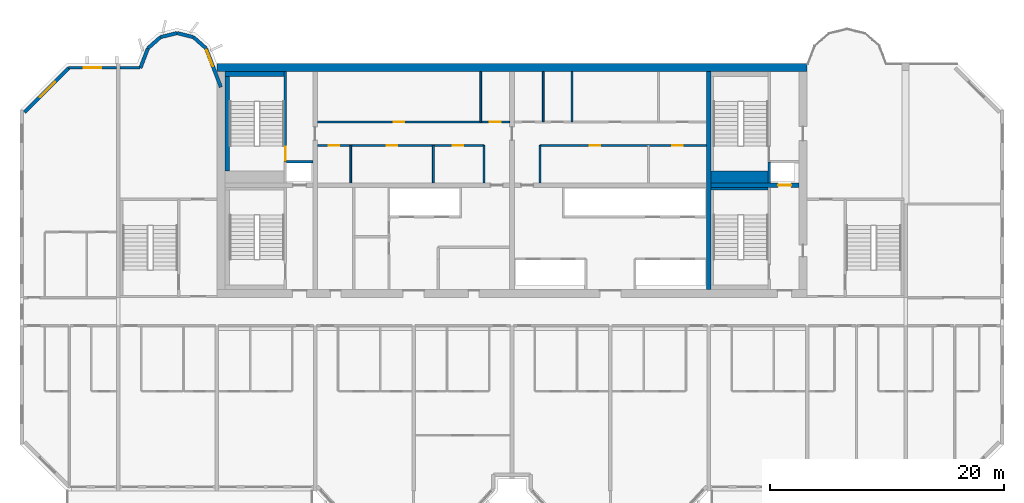
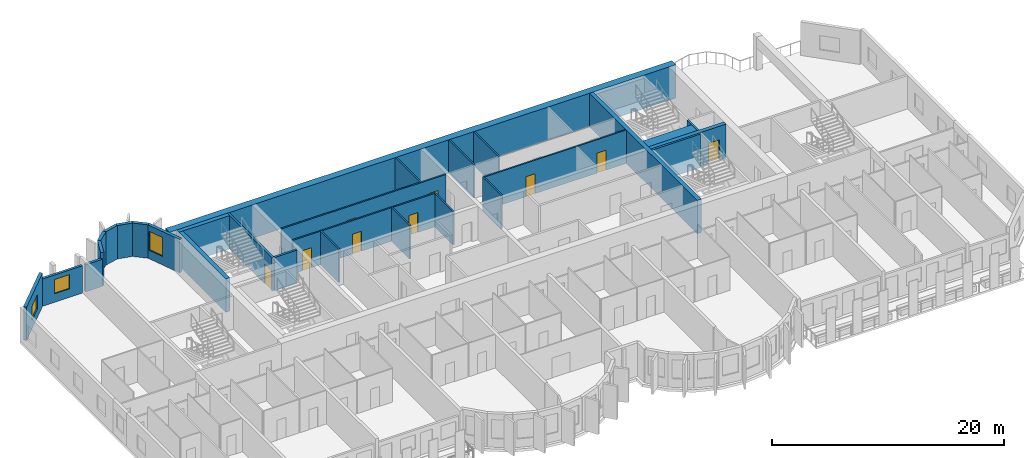
# One storey, part 7 of 13: 29 walls, 9 doors, 3 windows, 12 openings.
"""IFC4 building model written with IfcOpenShell, lengths in metres."""

from ifc_helpers import new_model, si_unit, direction, frame, frame_2d, origin, place, context, subcontext, project, spatial, rectangle, extrude, source, transform, mapped, material, layer, layer_set, type_object, element, fill, save


model = new_model("IFC4")

# Units and contexts
model_context = context("Model", 3, precision=1e-05, world=origin(), true_north=direction((0.0, 1.0)))
body_context = subcontext(model_context, "Body", "Model", "MODEL_VIEW")
ifc_project = project(units=[si_unit("LENGTHUNIT", "METRE"), si_unit("AREAUNIT", "SQUARE_METRE"), si_unit("VOLUMEUNIT", "CUBIC_METRE"), si_unit("PLANEANGLEUNIT", "RADIAN"), si_unit("MASSUNIT", "GRAM", prefix="KILO")], contexts=[model_context])

# Site, building, storey
site_placement = place(None, origin())
site = spatial("IfcSite", under=ifc_project, at=site_placement, CompositionType="ELEMENT")
building_placement = place(site_placement, origin())
building = spatial("IfcBuilding", under=site, at=building_placement, Name="Vanashikhar Sky Hotel", CompositionType="ELEMENT")
storey_placement = place(building_placement, frame((0.0, 0.0, 185.800048828125)))
storey = spatial("IfcBuildingStorey", under=building, at=storey_placement, Name="L45", CompositionType="ELEMENT", Elevation=185.800048828125)

# Walls
ifc_material_1 = material(Name="Concrete M60", Category="concrete")
ifc_layer_1 = layer(ifc_material_1, 0.39990234375)
ifc_layer_set_1 = layer_set([ifc_layer_1], Name="RC core inner wall 400 Concrete M60")
wall_type_1 = type_object("IfcWallType", Name="RC core inner wall 400 Concrete M60", PredefinedType="SHEAR", material=ifc_layer_set_1)
shared_shape_1 = source(origin(), body_context, "Body", "SweptSolid", [
    extrude(rectangle(XDim=18.60009765625, YDim=0.39990234375, at=frame_2d((9.300048828125, 0.0))), origin(), (0.0, 0.0, 1.0), 3.52001953125),
])
wall_1_placement = place(storey_placement, frame((67.199951171875, 22.699951171875, 0.0), z_axis=(0.0, 0.0, 1.0), x_axis=(0.0, 1.0, 0.0)))
element("IfcWall", 1, at=wall_1_placement, inside=storey, type_object=wall_type_1, Name="KW-L45-KX3", PredefinedType="SHEAR", context=body_context, shape_type="MappedRepresentation", body=[
    mapped(shared_shape_1, transform((0.0, 0.0, 0.0), scale=1.0)),
])
ifc_layer_2 = layer(ifc_material_1, 0.699951171875)
ifc_layer_set_2 = layer_set([ifc_layer_2], Name="RC core shell wall 700 Concrete M60")
wall_type_2 = type_object("IfcWallType", Name="RC core shell wall 700 Concrete M60", PredefinedType="SHEAR", material=ifc_layer_set_2)
shared_shape_2 = source(origin(), body_context, "Body", "SweptSolid", [
    extrude(rectangle(XDim=50.400146484375, YDim=0.699951171875, at=frame_2d((25.2001953125, 0.0))), origin(), (0.0, 0.0, 1.0), 3.52001953125),
])
wall_2_placement = place(storey_placement, frame((25.199951171875, 41.64990234375, 0.0), z_axis=(0.0, 0.0, 1.0), x_axis=(1.0, 0.0, 0.0)))
element("IfcWall", 2, at=wall_2_placement, inside=storey, type_object=wall_type_2, Name="KW-L45-KN", PredefinedType="SHEAR", context=body_context, shape_type="MappedRepresentation", body=[
    mapped(shared_shape_2, transform((0.0, 0.0, 0.0), scale=1.0)),
])

# Wall, opening, door
shared_shape_3 = source(origin(), body_context, "Body", "SweptSolid", [
    extrude(rectangle(XDim=7.5, YDim=0.39990234375, at=frame_2d((3.75, 0.0))), origin(), (0.0, 0.0, 1.0), 3.52001953125),
])
wall_3_placement = place(storey_placement, frame((67.39990234375, 31.60009765625, 0.0), z_axis=(0.0, 0.0, 1.0), x_axis=(1.0, 0.0, 0.0)))
wall_3 = element("IfcWall", 3, at=wall_3_placement, inside=storey, type_object=wall_type_1, Name="KW-L45-KY4", PredefinedType="SHEAR", context=body_context, shape_type="MappedRepresentation", body=[
    mapped(shared_shape_3, transform((0.0, 0.0, 0.0), scale=1.0)),
])
shared_shape_4 = source(origin(), body_context, "Body", "SweptSolid", [
    extrude(rectangle(XDim=1.10009765625, YDim=2.10009765625, at=frame_2d((0.550048828125, 1.050048828125))), frame((0.0, 0.2099609375, 0.0), z_axis=(0.0, -1.0, 0.0), x_axis=(1.0, 0.0, 0.0)), (0.0, 0.0, 1.0), 0.419921875),
])
opening_1_placement = place(wall_3_placement, frame((5.72509765625, 0.0, 0.0)))
opening_1 = element("IfcOpeningElement", 4, at=opening_1_placement, cuts=wall_3, Name="Opening LD", PredefinedType="OPENING", context=body_context, shape_type="MappedRepresentation", body=[
    mapped(shared_shape_4, transform((0.0, 0.0, 0.0), scale=1.0)),
])
ifc_material_2 = material(Name="Stainless steel", Category="steel")
door_type_1 = type_object("IfcDoorType", Name="Lift landing door 1100", OperationType="NOTDEFINED", PredefinedType="DOOR", material=ifc_material_2)
shared_shape_5 = source(origin(), body_context, "Body", "SweptSolid", [
    extrude(rectangle(XDim=1.10009765625, YDim=2.10009765625, at=frame_2d((0.550048828125, 1.050048828125))), frame((0.0, 0.02490234375, 0.0), z_axis=(0.0, -1.0, 0.0), x_axis=(1.0, 0.0, 0.0)), (0.0, 0.0, 1.0), 0.050048828125),
])
door_1_placement = place(opening_1_placement, origin())
door_1 = element("IfcDoor", 5, at=door_1_placement, inside=storey, type_object=door_type_1, Name="Lift landing door 1100", OperationType="SLIDING_TO_RIGHT", OverallHeight=2.10009765625, OverallWidth=1.10009765625, PredefinedType="DOOR", context=body_context, shape_type="MappedRepresentation", body=[
    mapped(shared_shape_5, transform((0.0, 0.0, 0.0), scale=1.0)),
])
fill(opening_1, door_1)

# Wall, opening, window
ifc_material_3 = material(Name="Concrete M50", Category="concrete")
ifc_layer_3 = layer(ifc_material_3, 0.300048828125)
ifc_layer_set_3 = layer_set([ifc_layer_3], Name="Lobe wall 300")
wall_type_3 = type_object("IfcWallType", Name="Lobe wall 300", PredefinedType="SOLIDWALL", material=ifc_layer_set_3)
shared_shape_6 = source(origin(), body_context, "Body", "SweptSolid", [
    extrude(rectangle(XDim=5.32568359375, YDim=0.300048828125, at=frame_2d((2.662841796875, 0.0))), origin(), (0.0, 0.0, 1.0), 3.52001953125),
])
wall_4_placement = place(storey_placement, frame((12.565673828125, 41.60009765625, 0.0), z_axis=(0.0, 0.0, 1.0), x_axis=(-0.707083859269, -0.707129702361, 0.0)))
wall_4 = element("IfcWall", 6, at=wall_4_placement, inside=storey, type_object=wall_type_3, Name="Corner wall", PredefinedType="SOLIDWALL", context=body_context, shape_type="MappedRepresentation", body=[
    mapped(shared_shape_6, transform((0.0, 0.0, 0.0), scale=1.0)),
])
shared_shape_7 = source(origin(), body_context, "Body", "SweptSolid", [
    extrude(rectangle(XDim=1.800048828125, YDim=1.5, at=frame_2d((0.89990234375, 0.75))), frame((0.0, 0.16015625, 0.0), z_axis=(0.0, -1.0, 0.0), x_axis=(1.0, 0.0, 0.0)), (0.0, 0.0, 1.0), 0.320068359375),
])
opening_2_placement = place(wall_4_placement, frame((1.689453125, 0.0, 0.89990234375)))
opening_2 = element("IfcOpeningElement", 7, at=opening_2_placement, cuts=wall_4, Name="Opening WN-4", PredefinedType="OPENING", context=body_context, shape_type="MappedRepresentation", body=[
    mapped(shared_shape_7, transform((0.0, 0.0, 0.0), scale=1.0)),
])
ifc_material_4 = material(Name="Glass", Category="glass")
window_type_1 = type_object("IfcWindowType", Name="Corner window 1800 x 1500", PartitioningType="SINGLE_PANEL", PredefinedType="WINDOW", material=ifc_material_4)
shared_shape_8 = source(origin(), body_context, "Body", "SweptSolid", [
    extrude(rectangle(XDim=1.800048828125, YDim=1.5, at=frame_2d((0.89990234375, 0.75))), frame((0.0, 0.030029296875, 0.0), z_axis=(0.0, -1.0, 0.0), x_axis=(1.0, 0.0, 0.0)), (0.0, 0.0, 1.0), 0.06005859375),
])
window_1_placement = place(opening_2_placement, origin())
window_1 = element("IfcWindow", 8, at=window_1_placement, inside=storey, type_object=window_type_1, Name="Window WN-4", OverallHeight=1.5, OverallWidth=1.800048828125, PartitioningType="SINGLE_PANEL", PredefinedType="WINDOW", context=body_context, shape_type="MappedRepresentation", body=[
    mapped(shared_shape_8, transform((0.0, 0.0, 0.0), scale=1.0)),
])
fill(opening_2, window_1)

shared_shape_9 = source(origin(), body_context, "Body", "SweptSolid", [
    extrude(rectangle(XDim=3.55908203125, YDim=0.300048828125, at=frame_2d((1.779541015625, 0.0))), origin(), (0.0, 0.0, 1.0), 3.52001953125),
])
wall_5_placement = place(storey_placement, frame((25.550048828125, 39.968505859375, 0.0), z_axis=(0.0, 0.0, 1.0), x_axis=(-0.35779745313, 0.933799219604, 0.0)))
wall_5 = element("IfcWall", 9, at=wall_5_placement, inside=storey, type_object=wall_type_3, Name="Lobe wall", PredefinedType="SOLIDWALL", context=body_context, shape_type="MappedRepresentation", body=[
    mapped(shared_shape_9, transform((0.0, 0.0, 0.0), scale=1.0)),
])
shared_shape_10 = source(origin(), body_context, "Body", "SweptSolid", [
    extrude(rectangle(XDim=1.5, YDim=2.0, at=frame_2d((0.75, 1.0))), frame((0.0, 0.16015625, 0.0), z_axis=(0.0, -1.0, 0.0), x_axis=(1.0, 0.0, 0.0)), (0.0, 0.0, 1.0), 0.320068359375),
])
opening_3_placement = place(wall_5_placement, frame((1.9033203125, 0.0, 0.89990234375)))
opening_3 = element("IfcOpeningElement", 10, at=opening_3_placement, cuts=wall_5, Name="Opening WN-2", PredefinedType="OPENING", context=body_context, shape_type="MappedRepresentation", body=[
    mapped(shared_shape_10, transform((0.0, 0.0, 0.0), scale=1.0)),
])
window_type_2 = type_object("IfcWindowType", Name="Lobe window 1500 x 2000", PartitioningType="SINGLE_PANEL", PredefinedType="WINDOW", material=ifc_material_4)
shared_shape_11 = source(origin(), body_context, "Body", "SweptSolid", [
    extrude(rectangle(XDim=1.5, YDim=2.0, at=frame_2d((0.75, 1.0))), frame((0.0, 0.030029296875, 0.0), z_axis=(0.0, -1.0, 0.0), x_axis=(1.0, 0.0, 0.0)), (0.0, 0.0, 1.0), 0.06005859375),
])
window_2_placement = place(opening_3_placement, origin())
window_2 = element("IfcWindow", 11, at=window_2_placement, inside=storey, type_object=window_type_2, Name="Window WN-2", OverallHeight=2.0, OverallWidth=1.5, PartitioningType="SINGLE_PANEL", PredefinedType="WINDOW", context=body_context, shape_type="MappedRepresentation", body=[
    mapped(shared_shape_11, transform((0.0, 0.0, 0.0), scale=1.0)),
])
fill(opening_3, window_2)

# Walls
shared_shape_12 = source(origin(), body_context, "Body", "SweptSolid", [
    extrude(rectangle(XDim=1.440185546875, YDim=0.300048828125, at=frame_2d((0.72021484375, 0.0))), origin(), (0.0, 0.0, 1.0), 3.52001953125),
])
wall_6_placement = place(storey_placement, frame((24.276611328125, 43.2919921875, 0.0), z_axis=(0.0, 0.0, 1.0), x_axis=(-0.749649827867, 0.661834673902, 0.0)))
element("IfcWall", 12, at=wall_6_placement, inside=storey, type_object=wall_type_3, Name="Lobe wall", PredefinedType="SOLIDWALL", context=body_context, shape_type="MappedRepresentation", body=[
    mapped(shared_shape_12, transform((0.0, 0.0, 0.0), scale=1.0)),
])
shared_shape_13 = source(origin(), body_context, "Body", "SweptSolid", [
    extrude(rectangle(XDim=1.4384765625, YDim=0.300048828125, at=frame_2d((0.71923828125, 0.0))), origin(), (0.0, 0.0, 1.0), 3.52001953125),
])
wall_7_placement = place(storey_placement, frame((23.197021484375, 44.2451171875, 0.0), z_axis=(0.0, 0.0, 1.0), x_axis=(-0.971152283879, 0.238460146601, 0.0)))
element("IfcWall", 13, at=wall_7_placement, inside=storey, type_object=wall_type_3, Name="Lobe wall", PredefinedType="SOLIDWALL", context=body_context, shape_type="MappedRepresentation", body=[
    mapped(shared_shape_13, transform((0.0, 0.0, 0.0), scale=1.0)),
])
shared_shape_14 = source(origin(), body_context, "Body", "SweptSolid", [
    extrude(rectangle(XDim=1.438720703125, YDim=0.300048828125, at=frame_2d((0.71923828125, 0.0))), origin(), (0.0, 0.0, 1.0), 3.52001953125),
])
wall_8_placement = place(storey_placement, frame((21.800048828125, 44.588134765625, 0.0), z_axis=(0.0, 0.0, 1.0), x_axis=(-0.971161932466, -0.238420848351, 0.0)))
element("IfcWall", 14, at=wall_8_placement, inside=storey, type_object=wall_type_3, Name="Lobe wall", PredefinedType="SOLIDWALL", context=body_context, shape_type="MappedRepresentation", body=[
    mapped(shared_shape_14, transform((0.0, 0.0, 0.0), scale=1.0)),
])
shared_shape_15 = source(origin(), body_context, "Body", "SweptSolid", [
    extrude(rectangle(XDim=1.43994140625, YDim=0.300048828125, at=frame_2d((0.719970703125, 0.0))), origin(), (0.0, 0.0, 1.0), 3.52001953125),
])
wall_9_placement = place(storey_placement, frame((20.40283203125, 44.2451171875, 0.0), z_axis=(0.0, 0.0, 1.0), x_axis=(-0.74957555648, -0.661918790432, 0.0)))
element("IfcWall", 15, at=wall_9_placement, inside=storey, type_object=wall_type_3, Name="Lobe wall", PredefinedType="SOLIDWALL", context=body_context, shape_type="MappedRepresentation", body=[
    mapped(shared_shape_15, transform((0.0, 0.0, 0.0), scale=1.0)),
])
shared_shape_16 = source(origin(), body_context, "Body", "SweptSolid", [
    extrude(rectangle(XDim=1.81201171875, YDim=0.300048828125, at=frame_2d((0.906005859375, 0.0))), origin(), (0.0, 0.0, 1.0), 3.52001953125),
])
wall_10_placement = place(storey_placement, frame((19.323486328125, 43.2919921875, 0.0), z_axis=(0.0, 0.0, 1.0), x_axis=(-0.357877270961, -0.93376863244, 0.0)))
element("IfcWall", 16, at=wall_10_placement, inside=storey, type_object=wall_type_3, Name="Lobe wall", PredefinedType="SOLIDWALL", context=body_context, shape_type="MappedRepresentation", body=[
    mapped(shared_shape_16, transform((0.0, 0.0, 0.0), scale=1.0)),
])
ifc_layer_4 = layer(ifc_material_3, 0.25)
ifc_layer_set_4 = layer_set([ifc_layer_4], Name="Rear and end board-marked wall 250")
wall_type_4 = type_object("IfcWallType", Name="Rear and end board-marked wall 250", PredefinedType="SOLIDWALL", material=ifc_layer_set_4)
shared_shape_17 = source(origin(), body_context, "Body", "SweptSolid", [
    extrude(rectangle(XDim=1.7080078125, YDim=0.25, at=frame_2d((0.85400390625, 0.0))), origin(), (0.0, 0.0, 1.0), 2.869873046875),
])
wall_11_placement = place(storey_placement, frame((18.657958984375, 41.625, 0.0), z_axis=(0.0, 0.0, 1.0), x_axis=(-1.0, 0.0, 0.0)))
element("IfcWall", 17, at=wall_11_placement, inside=storey, type_object=wall_type_4, Name="Rear board-marked wall", PredefinedType="SOLIDWALL", context=body_context, shape_type="MappedRepresentation", body=[
    mapped(shared_shape_17, transform((0.0, 0.0, 0.0), scale=1.0)),
])

# Wall, opening, window
shared_shape_18 = source(origin(), body_context, "Body", "SweptSolid", [
    extrude(rectangle(XDim=4.094482421875, YDim=0.25, at=frame_2d((2.04736328125, 0.0))), origin(), (0.0, 0.0, 1.0), 2.869873046875),
])
wall_12_placement = place(storey_placement, frame((16.64990234375, 41.625, 0.0), z_axis=(0.0, 0.0, 1.0), x_axis=(-1.0, 0.0, 0.0)))
wall_12 = element("IfcWall", 18, at=wall_12_placement, inside=storey, type_object=wall_type_4, Name="Rear board-marked wall", PredefinedType="SOLIDWALL", context=body_context, shape_type="MappedRepresentation", body=[
    mapped(shared_shape_18, transform((0.0, 0.0, 0.0), scale=1.0)),
])
shared_shape_19 = source(origin(), body_context, "Body", "SweptSolid", [
    extrude(rectangle(XDim=1.5, YDim=1.5, at=frame_2d((0.75, 0.75))), frame((0.0, 0.135009765625, 0.0), z_axis=(0.0, -1.0, 0.0), x_axis=(1.0, 0.0, 0.0)), (0.0, 0.0, 1.0), 0.27001953125),
])
opening_4_placement = place(wall_12_placement, frame((1.29736328125, 0.0, 0.89990234375)))
opening_4 = element("IfcOpeningElement", 19, at=opening_4_placement, cuts=wall_12, Name="Opening WN-1", PredefinedType="OPENING", context=body_context, shape_type="MappedRepresentation", body=[
    mapped(shared_shape_19, transform((0.0, 0.0, 0.0), scale=1.0)),
])
window_type_3 = type_object("IfcWindowType", Name="Window 1500 x 1500", PartitioningType="SINGLE_PANEL", PredefinedType="WINDOW", material=ifc_material_4)
shared_shape_20 = source(origin(), body_context, "Body", "SweptSolid", [
    extrude(rectangle(XDim=1.5, YDim=1.5, at=frame_2d((0.75, 0.75))), frame((0.0, 0.030029296875, 0.0), z_axis=(0.0, -1.0, 0.0), x_axis=(1.0, 0.0, 0.0)), (0.0, 0.0, 1.0), 0.06005859375),
])
window_3_placement = place(opening_4_placement, origin())
window_3 = element("IfcWindow", 20, at=window_3_placement, inside=storey, type_object=window_type_3, Name="Window WN-1", OverallHeight=1.5, OverallWidth=1.5, PartitioningType="SINGLE_PANEL", PredefinedType="WINDOW", context=body_context, shape_type="MappedRepresentation", body=[
    mapped(shared_shape_20, transform((0.0, 0.0, 0.0), scale=1.0)),
])
fill(opening_4, window_3)

# Walls
ifc_material_5 = material(Name="Concrete M40", Category="concrete")
ifc_layer_5 = layer(ifc_material_5, 0.199951171875)
ifc_layer_set_5 = layer_set([ifc_layer_5], Name="Shaft wall 200")
wall_type_5 = type_object("IfcWallType", Name="Shaft wall 200", PredefinedType="SOLIDWALL", material=ifc_layer_set_5)
shared_shape_21 = source(origin(), body_context, "Body", "SweptSolid", [
    extrude(rectangle(XDim=2.25, YDim=0.199951171875, at=frame_2d((1.125, 0.0))), origin(), (0.0, 0.0, 1.0), 3.52001953125),
])
wall_13_placement = place(storey_placement, frame((31.14990234375, 33.60009765625, 0.0), z_axis=(0.0, 0.0, 1.0), x_axis=(1.0, 0.0, 0.0)))
element("IfcWall", 21, at=wall_13_placement, inside=storey, type_object=wall_type_5, Name="Shaft wall 200", PredefinedType="SOLIDWALL", context=body_context, shape_type="MappedRepresentation", body=[
    mapped(shared_shape_21, transform((0.0, 0.0, 0.0), scale=1.0)),
])
ifc_material_6 = material(Name="Gypsum board partition")
ifc_layer_6 = layer(ifc_material_6, 0.14990234375)
ifc_layer_set_6 = layer_set([ifc_layer_6], Name="Service partition 150")
wall_type_6 = type_object("IfcWallType", Name="Service partition 150", PredefinedType="PARTITIONING", material=ifc_layer_set_6)
shared_shape_22 = source(origin(), body_context, "Body", "SweptSolid", [
    extrude(rectangle(XDim=3.199951171875, YDim=0.14990234375, at=frame_2d((1.60009765625, 0.0))), origin(), (0.0, 0.0, 1.0), 3.52001953125),
])
for number, where, z_axis, x_axis, name in (
    (22, (48.0, 31.800048828125, 0.0), (0.0, 0.0, 1.0), (0.0, 1.0, 0.0), "Service partition 150"),
    (23, (36.625, 31.800048828125, 0.0), (0.0, 0.0, 1.0), (0.0, 1.0, 0.0), "Service partition 150"),
    (24, (43.68798828125, 31.800048828125, 0.0), (0.0, 0.0, 1.0), (0.0, 1.0, 0.0), "Service partition 150"),
    (25, (52.800048828125, 31.800048828125, 0.0), (0.0, 0.0, 1.0), (0.0, 1.0, 0.0), "Service partition 150"),
):
    element("IfcWall", number, at=place(storey_placement, frame(where, z_axis=z_axis, x_axis=x_axis)), inside=storey, type_object=wall_type_6, Name=name, PredefinedType="PARTITIONING", context=body_context, shape_type="MappedRepresentation", body=[
        mapped(shared_shape_22, transform((0.0, 0.0, 0.0), scale=1.0)),
    ])

# Wall, openings, doors
shared_shape_23 = source(origin(), body_context, "Body", "SweptSolid", [
    extrude(rectangle(XDim=14.199951171875, YDim=0.14990234375, at=frame_2d((7.10009765625, 0.0))), origin(), (0.0, 0.0, 1.0), 3.52001953125),
])
wall_14_placement = place(storey_placement, frame((33.800048828125, 35.0, 0.0), z_axis=(0.0, 0.0, 1.0), x_axis=(1.0, 0.0, 0.0)))
wall_14 = element("IfcWall", 26, at=wall_14_placement, inside=storey, type_object=wall_type_6, Name="Service partition 150", PredefinedType="PARTITIONING", context=body_context, shape_type="MappedRepresentation", body=[
    mapped(shared_shape_23, transform((0.0, 0.0, 0.0), scale=1.0)),
])
shared_shape_24 = source(origin(), body_context, "Body", "SweptSolid", [
    extrude(rectangle(XDim=0.89990234375, YDim=2.10009765625, at=frame_2d((0.449951171875, 1.050048828125))), frame((0.0, 0.0849609375, 0.0), z_axis=(0.0, -1.0, 0.0), x_axis=(1.0, 0.0, 0.0)), (0.0, 0.0, 1.0), 0.169921875),
])
opening_5_placement = place(wall_14_placement, frame((0.9619140625, 0.0, 0.0)))
opening_5 = element("IfcOpeningElement", 27, at=opening_5_placement, cuts=wall_14, Name="Opening DC-4-A", PredefinedType="OPENING", context=body_context, shape_type="MappedRepresentation", body=[
    mapped(shared_shape_24, transform((0.0, 0.0, 0.0), scale=1.0)),
])
opening_6_placement = place(wall_14_placement, frame((5.906005859375, 0.0, 0.0)))
opening_6 = element("IfcOpeningElement", 28, at=opening_6_placement, cuts=wall_14, Name="Opening DC-4-A", PredefinedType="OPENING", context=body_context, shape_type="MappedRepresentation", body=[
    mapped(shared_shape_24, transform((0.0, 0.0, 0.0), scale=1.0)),
])
opening_7_placement = place(wall_14_placement, frame((11.555908203125, 0.0, 0.0)))
opening_7 = element("IfcOpeningElement", 29, at=opening_7_placement, cuts=wall_14, Name="Opening DC-4-A", PredefinedType="OPENING", context=body_context, shape_type="MappedRepresentation", body=[
    mapped(shared_shape_24, transform((0.0, 0.0, 0.0), scale=1.0)),
])
ifc_material_7 = material(Name="Steel", Category="steel")
door_type_2 = type_object("IfcDoorType", Name="Service door 900 FD60", OperationType="NOTDEFINED", PredefinedType="DOOR", material=ifc_material_7)
shared_shape_25 = source(origin(), body_context, "Body", "SweptSolid", [
    extrude(rectangle(XDim=0.89990234375, YDim=2.10009765625, at=frame_2d((0.449951171875, 1.050048828125))), frame((0.0, 0.02490234375, 0.0), z_axis=(0.0, -1.0, 0.0), x_axis=(1.0, 0.0, 0.0)), (0.0, 0.0, 1.0), 0.050048828125),
])
door_2_placement = place(opening_5_placement, origin())
door_2 = element("IfcDoor", 30, at=door_2_placement, inside=storey, type_object=door_type_2, Name="Service door 900 FD60", OperationType="SINGLE_SWING_LEFT", OverallHeight=2.10009765625, OverallWidth=0.89990234375, PredefinedType="DOOR", context=body_context, shape_type="MappedRepresentation", body=[
    mapped(shared_shape_25, transform((0.0, 0.0, 0.0), scale=1.0)),
])
fill(opening_5, door_2)
door_3_placement = place(opening_6_placement, origin())
door_3 = element("IfcDoor", 31, at=door_3_placement, inside=storey, type_object=door_type_2, Name="Service door 900 FD60", OperationType="SINGLE_SWING_RIGHT", OverallHeight=2.10009765625, OverallWidth=0.89990234375, PredefinedType="DOOR", context=body_context, shape_type="MappedRepresentation", body=[
    mapped(shared_shape_25, transform((0.0, 0.0, 0.0), scale=1.0)),
])
fill(opening_6, door_3)
door_4_placement = place(opening_7_placement, origin())
door_4 = element("IfcDoor", 32, at=door_4_placement, inside=storey, type_object=door_type_2, Name="Service door 900 FD60", OperationType="SINGLE_SWING_LEFT", OverallHeight=2.10009765625, OverallWidth=0.89990234375, PredefinedType="DOOR", context=body_context, shape_type="MappedRepresentation", body=[
    mapped(shared_shape_25, transform((0.0, 0.0, 0.0), scale=1.0)),
])
fill(opening_7, door_4)

wall_15_placement = place(storey_placement, frame((67.0, 35.0, 0.0), z_axis=(0.0, 0.0, 1.0), x_axis=(-1.0, 0.0, 0.0)))
wall_15 = element("IfcWall", 33, at=wall_15_placement, inside=storey, type_object=wall_type_6, Name="Service partition 150", PredefinedType="PARTITIONING", context=body_context, shape_type="MappedRepresentation", body=[
    mapped(shared_shape_23, transform((0.0, 0.0, 0.0), scale=1.0)),
])
opening_8_placement = place(wall_15_placement, frame((2.02197265625, 0.0, 0.0)))
opening_8 = element("IfcOpeningElement", 34, at=opening_8_placement, cuts=wall_15, Name="Opening DC-4-A", PredefinedType="OPENING", context=body_context, shape_type="MappedRepresentation", body=[
    mapped(shared_shape_24, transform((0.0, 0.0, 0.0), scale=1.0)),
])
opening_9_placement = place(wall_15_placement, frame((9.083984375, 0.0, 0.0)))
opening_9 = element("IfcOpeningElement", 35, at=opening_9_placement, cuts=wall_15, Name="Opening DC-4-A", PredefinedType="OPENING", context=body_context, shape_type="MappedRepresentation", body=[
    mapped(shared_shape_24, transform((0.0, 0.0, 0.0), scale=1.0)),
])
door_5_placement = place(opening_8_placement, origin())
door_5 = element("IfcDoor", 36, at=door_5_placement, inside=storey, type_object=door_type_2, Name="Service door 900 FD60", OperationType="SINGLE_SWING_LEFT", OverallHeight=2.10009765625, OverallWidth=0.89990234375, PredefinedType="DOOR", context=body_context, shape_type="MappedRepresentation", body=[
    mapped(shared_shape_25, transform((0.0, 0.0, 0.0), scale=1.0)),
])
fill(opening_8, door_5)
door_6_placement = place(opening_9_placement, origin())
door_6 = element("IfcDoor", 37, at=door_6_placement, inside=storey, type_object=door_type_2, Name="Service door 900 FD60", OperationType="SINGLE_SWING_RIGHT", OverallHeight=2.10009765625, OverallWidth=0.89990234375, PredefinedType="DOOR", context=body_context, shape_type="MappedRepresentation", body=[
    mapped(shared_shape_25, transform((0.0, 0.0, 0.0), scale=1.0)),
])
fill(opening_9, door_6)

shared_shape_26 = source(origin(), body_context, "Body", "SweptSolid", [
    extrude(rectangle(XDim=16.39990234375, YDim=0.14990234375, at=frame_2d((8.199951171875, 0.0))), origin(), (0.0, 0.0, 1.0), 3.52001953125),
])
wall_16_placement = place(storey_placement, frame((33.800048828125, 37.0, 0.0), z_axis=(0.0, 0.0, 1.0), x_axis=(1.0, 0.0, 0.0)))
wall_16 = element("IfcWall", 38, at=wall_16_placement, inside=storey, type_object=wall_type_6, Name="Service partition 150", PredefinedType="PARTITIONING", context=body_context, shape_type="MappedRepresentation", body=[
    mapped(shared_shape_26, transform((0.0, 0.0, 0.0), scale=1.0)),
])
opening_10_placement = place(wall_16_placement, frame((6.52001953125, 0.0, 0.0)))
opening_10 = element("IfcOpeningElement", 39, at=opening_10_placement, cuts=wall_16, Name="Opening DC-4-A", PredefinedType="OPENING", context=body_context, shape_type="MappedRepresentation", body=[
    mapped(shared_shape_24, transform((0.0, 0.0, 0.0), scale=1.0)),
])
opening_11_placement = place(wall_16_placement, frame((14.719970703125, 0.0, 0.0)))
opening_11 = element("IfcOpeningElement", 40, at=opening_11_placement, cuts=wall_16, Name="Opening DC-4-A", PredefinedType="OPENING", context=body_context, shape_type="MappedRepresentation", body=[
    mapped(shared_shape_24, transform((0.0, 0.0, 0.0), scale=1.0)),
])
door_7_placement = place(opening_10_placement, origin())
door_7 = element("IfcDoor", 41, at=door_7_placement, inside=storey, type_object=door_type_2, Name="Service door 900 FD60", OperationType="SINGLE_SWING_RIGHT", OverallHeight=2.10009765625, OverallWidth=0.89990234375, PredefinedType="DOOR", context=body_context, shape_type="MappedRepresentation", body=[
    mapped(shared_shape_25, transform((0.0, 0.0, 0.0), scale=1.0)),
])
fill(opening_10, door_7)
door_8_placement = place(opening_11_placement, origin())
door_8 = element("IfcDoor", 42, at=door_8_placement, inside=storey, type_object=door_type_2, Name="Service door 900 FD60", OperationType="SINGLE_SWING_LEFT", OverallHeight=2.10009765625, OverallWidth=0.89990234375, PredefinedType="DOOR", context=body_context, shape_type="MappedRepresentation", body=[
    mapped(shared_shape_25, transform((0.0, 0.0, 0.0), scale=1.0)),
])
fill(opening_11, door_8)

# Walls
shared_shape_27 = source(origin(), body_context, "Body", "SweptSolid", [
    extrude(rectangle(XDim=4.300048828125, YDim=0.14990234375, at=frame_2d((2.14990234375, 0.0))), origin(), (0.0, 0.0, 1.0), 3.52001953125),
])
for number, where, z_axis, x_axis, name in (
    (43, (47.739990234375, 37.0, 0.0), (0.0, 0.0, 1.0), (0.0, 1.0, 0.0), "Service partition 150"),
    (44, (55.52001953125, 37.0, 0.0), (0.0, 0.0, 1.0), (0.0, 1.0, 0.0), "Service partition 150"),
    (45, (53.06005859375, 37.0, 0.0), (0.0, 0.0, 1.0), (0.0, 1.0, 0.0), "Service partition 150"),
):
    element("IfcWall", number, at=place(storey_placement, frame(where, z_axis=z_axis, x_axis=x_axis)), inside=storey, type_object=wall_type_6, Name=name, PredefinedType="PARTITIONING", context=body_context, shape_type="MappedRepresentation", body=[
        mapped(shared_shape_27, transform((0.0, 0.0, 0.0), scale=1.0)),
    ])
shared_shape_28 = source(origin(), body_context, "Body", "SweptSolid", [
    extrude(rectangle(XDim=1.800048828125, YDim=0.199951171875, at=frame_2d((0.89990234375, 0.0))), origin(), (0.0, 0.0, 1.0), 3.52001953125),
])
wall_17_placement = place(storey_placement, frame((72.35009765625, 31.800048828125, 0.0), z_axis=(0.0, 0.0, 1.0), x_axis=(0.0, 1.0, 0.0)))
element("IfcWall", 46, at=wall_17_placement, inside=storey, type_object=wall_type_5, Name="Shaft wall 200", PredefinedType="SOLIDWALL", context=body_context, shape_type="MappedRepresentation", body=[
    mapped(shared_shape_28, transform((0.0, 0.0, 0.0), scale=1.0)),
])

# Wall, opening, door
ifc_layer_7 = layer(ifc_material_3, 0.199951171875)
ifc_layer_set_7 = layer_set([ifc_layer_7], Name="Stair wall 200")
wall_type_7 = type_object("IfcWallType", Name="Stair wall 200", PredefinedType="SOLIDWALL", material=ifc_layer_set_7)
shared_shape_29 = source(origin(), body_context, "Body", "SweptSolid", [
    extrude(rectangle(XDim=7.699951171875, YDim=0.199951171875, at=frame_2d((3.85009765625, 0.0))), origin(), (0.0, 0.0, 1.0), 3.52001953125),
])
wall_18_placement = place(storey_placement, frame((31.050048828125, 33.60009765625, 0.0), z_axis=(0.0, 0.0, 1.0), x_axis=(0.0, 1.0, 0.0)))
wall_18 = element("IfcWall", 47, at=wall_18_placement, inside=storey, type_object=wall_type_7, Name="Stair wall 200", PredefinedType="SOLIDWALL", context=body_context, shape_type="MappedRepresentation", body=[
    mapped(shared_shape_29, transform((0.0, 0.0, 0.0), scale=1.0)),
])
shared_shape_30 = source(origin(), body_context, "Body", "SweptSolid", [
    extrude(rectangle(XDim=1.199951171875, YDim=2.10009765625, at=frame_2d((0.60009765625, 1.050048828125))), frame((0.0, 0.10986328125, 0.0), z_axis=(0.0, -1.0, 0.0), x_axis=(1.0, 0.0, 0.0)), (0.0, 0.0, 1.0), 0.219970703125),
])
opening_12_placement = place(wall_18_placement, frame((0.10009765625, 0.0, 0.0)))
opening_12 = element("IfcOpeningElement", 48, at=opening_12_placement, cuts=wall_18, Name="Opening DC-1", PredefinedType="OPENING", context=body_context, shape_type="MappedRepresentation", body=[
    mapped(shared_shape_30, transform((0.0, 0.0, 0.0), scale=1.0)),
])
door_type_3 = type_object("IfcDoorType", Name="Stair door 1200 FD120", OperationType="NOTDEFINED", PredefinedType="DOOR", material=ifc_material_7)
shared_shape_31 = source(origin(), body_context, "Body", "SweptSolid", [
    extrude(rectangle(XDim=1.199951171875, YDim=2.10009765625, at=frame_2d((0.60009765625, 1.050048828125))), frame((0.0, 0.02490234375, 0.0), z_axis=(0.0, -1.0, 0.0), x_axis=(1.0, 0.0, 0.0)), (0.0, 0.0, 1.0), 0.050048828125),
])
door_9_placement = place(opening_12_placement, origin())
door_9 = element("IfcDoor", 49, at=door_9_placement, inside=storey, type_object=door_type_3, Name="Stair door 1200 FD120", OperationType="SINGLE_SWING_RIGHT", OverallHeight=2.10009765625, OverallWidth=1.199951171875, PredefinedType="DOOR", context=body_context, shape_type="MappedRepresentation", body=[
    mapped(shared_shape_31, transform((0.0, 0.0, 0.0), scale=1.0)),
])
fill(opening_12, door_9)

# Walls
ifc_layer_8 = layer(ifc_material_3, 0.39990234375)
ifc_layer_set_8 = layer_set([ifc_layer_8], Name="Stair infill wall 400")
wall_type_8 = type_object("IfcWallType", Name="Stair infill wall 400", PredefinedType="SOLIDWALL", material=ifc_layer_set_8)
shared_shape_32 = source(origin(), body_context, "Body", "SweptSolid", [
    extrude(rectangle(XDim=5.050048828125, YDim=0.39990234375, at=frame_2d((2.52490234375, 0.0))), origin(), (0.0, 0.0, 1.0), 3.52001953125),
])
wall_19_placement = place(storey_placement, frame((25.89990234375, 41.10009765625, 0.0), z_axis=(0.0, 0.0, 1.0), x_axis=(1.0, 0.0, 0.0)))
element("IfcWall", 50, at=wall_19_placement, inside=storey, type_object=wall_type_8, Name="Stair infill wall 400", PredefinedType="SOLIDWALL", context=body_context, shape_type="MappedRepresentation", body=[
    mapped(shared_shape_32, transform((0.0, 0.0, 0.0), scale=1.0)),
])
shared_shape_33 = source(origin(), body_context, "Body", "SweptSolid", [
    extrude(rectangle(XDim=8.099853515625, YDim=0.39990234375, at=frame_2d((4.0498046875, 0.0))), origin(), (0.0, 0.0, 1.0), 3.52001953125),
])
wall_20_placement = place(storey_placement, frame((26.10009765625, 32.800048828125, 0.0), z_axis=(0.0, 0.0, 1.0), x_axis=(0.0, 1.0, 0.0)))
element("IfcWall", 51, at=wall_20_placement, inside=storey, type_object=wall_type_8, Name="Stair infill wall 400", PredefinedType="SOLIDWALL", context=body_context, shape_type="MappedRepresentation", body=[
    mapped(shared_shape_33, transform((0.0, 0.0, 0.0), scale=1.0)),
])
ifc_layer_9 = layer(ifc_material_3, 0.199951171875)
ifc_layer_set_9 = layer_set([ifc_layer_9], Name="Stair infill wall 200")
wall_type_9 = type_object("IfcWallType", Name="Stair infill wall 200", PredefinedType="SOLIDWALL", material=ifc_layer_set_9)
shared_shape_34 = source(origin(), body_context, "Body", "SweptSolid", [
    extrude(rectangle(XDim=4.85009765625, YDim=0.199951171875, at=frame_2d((2.425048828125, 0.0))), origin(), (0.0, 0.0, 1.0), 3.52001953125),
])
wall_21_placement = place(storey_placement, frame((67.39990234375, 31.300048828125, 0.0), z_axis=(0.0, 0.0, 1.0), x_axis=(1.0, 0.0, 0.0)))
element("IfcWall", 52, at=wall_21_placement, inside=storey, type_object=wall_type_9, Name="Stair infill wall 200", PredefinedType="SOLIDWALL", context=body_context, shape_type="MappedRepresentation", body=[
    mapped(shared_shape_34, transform((0.0, 0.0, 0.0), scale=1.0)),
])
ifc_layer_10 = layer(ifc_material_3, 1.0)
ifc_layer_set_10 = layer_set([ifc_layer_10], Name="Stair infill wall 1000")
wall_type_10 = type_object("IfcWallType", Name="Stair infill wall 1000", PredefinedType="SOLIDWALL", material=ifc_layer_set_10)
shared_shape_35 = source(origin(), body_context, "Body", "SweptSolid", [
    extrude(rectangle(XDim=4.85009765625, YDim=1.0, at=frame_2d((2.425048828125, 0.0))), origin(), (0.0, 0.0, 1.0), 3.52001953125),
])
wall_22_placement = place(storey_placement, frame((67.39990234375, 32.300048828125, 0.0), z_axis=(0.0, 0.0, 1.0), x_axis=(1.0, 0.0, 0.0)))
element("IfcWall", 53, at=wall_22_placement, inside=storey, type_object=wall_type_10, Name="Stair infill wall 1000", PredefinedType="SOLIDWALL", context=body_context, shape_type="MappedRepresentation", body=[
    mapped(shared_shape_35, transform((0.0, 0.0, 0.0), scale=1.0)),
])

save(model, "model.ifc")
